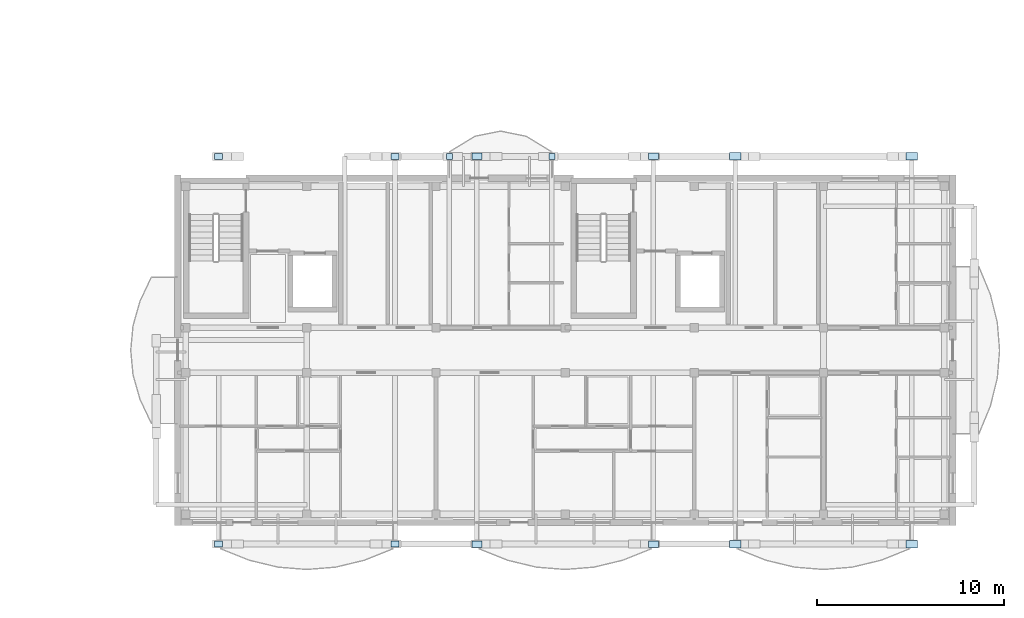
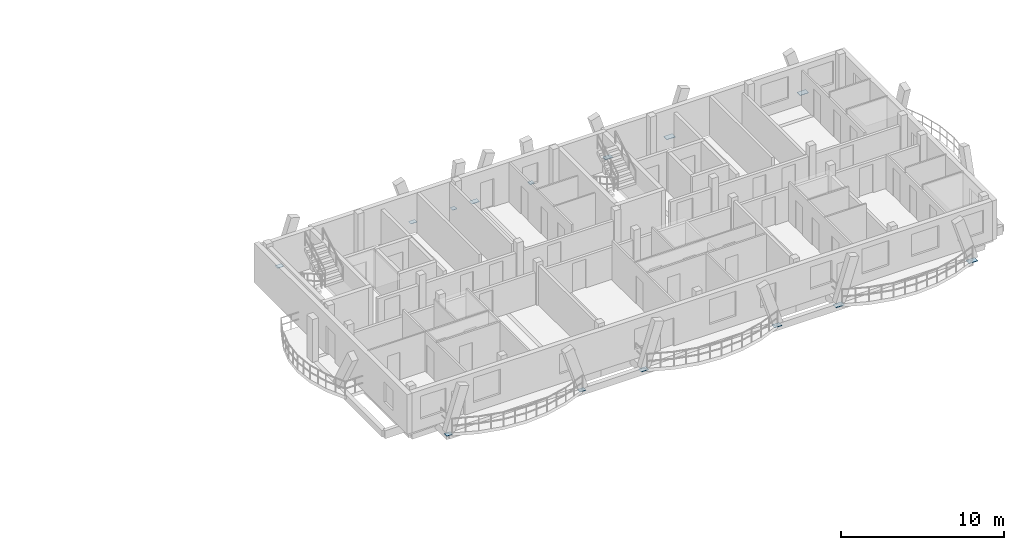
# One storey, part 12 of 44: 14 plates.
"""IFC4 building model written with IfcOpenShell, lengths in metres."""

from ifc_helpers import new_model, si_unit, direction, frame, origin, origin_2d, place, context, subcontext, project, spatial, rectangle, extrude, material, layer, layer_set, type_object, element, save


model = new_model("IFC4")

# Units and contexts
model_context = context("Model", 3, precision=1e-05, world=origin(), true_north=direction((0.0, 1.0)))
body_context = subcontext(model_context, "Body", "Model", "MODEL_VIEW")
ifc_project = project(units=[si_unit("LENGTHUNIT", "METRE"), si_unit("AREAUNIT", "SQUARE_METRE"), si_unit("VOLUMEUNIT", "CUBIC_METRE"), si_unit("PLANEANGLEUNIT", "RADIAN"), si_unit("MASSUNIT", "GRAM", prefix="KILO")], contexts=[model_context])

# Site, building, storey
site_placement = place(None, origin())
site = spatial("IfcSite", under=ifc_project, at=site_placement, CompositionType="ELEMENT")
building_placement = place(site_placement, origin())
building = spatial("IfcBuilding", under=site, at=building_placement, Name="Zavelmont Quarter", CompositionType="ELEMENT")
storey_placement = place(building_placement, frame((0.0, 0.0, 20.800048828125)))
storey = spatial("IfcBuildingStorey", under=building, at=storey_placement, Name="L06", CompositionType="ELEMENT", Elevation=20.800048828125)

# Plates
ifc_material = material(Name="Steel S355", Category="steel")
ifc_layer_1 = layer(ifc_material, 0.02490234375)
ifc_layer_set_1 = layer_set([ifc_layer_1], Name="Steel S355")
plate_type_1 = type_object("IfcPlateType", Name="NP03", PredefinedType="SHEET", material=ifc_layer_set_1)
for number, where, z_axis, x_axis, name in (
    (1, (128.785400390625, -1.162109375, -0.21240234375), (0.0, 0.0, 1.0), (1.0, 0.0, 0.0), "L06 steel connection plate NP03 at 19/A"),
    (2, (138.214599609375, -1.162109375, -0.21240234375), (0.0, 0.0, 1.0), (1.0, 0.0, 0.0), "L06 steel connection plate NP03 at 21/A"),
    (3, (128.785400390625, 19.56201171875, -0.21240234375), (0.0, 0.0, 1.0), (1.0, 0.0, 0.0), "L06 steel connection plate NP03 at 19/D"),
    (4, (138.214599609375, 19.56201171875, -0.21240234375), (0.0, 0.0, 1.0), (1.0, 0.0, 0.0), "L06 steel connection plate NP03 at 21/D"),
):
    element("IfcPlate", number, at=place(storey_placement, frame(where, z_axis=z_axis, x_axis=x_axis)), inside=storey, type_object=plate_type_1, Name=name, PredefinedType="SHEET", context=body_context, shape_type="SweptSolid", body=[
        extrude(rectangle(XDim=0.43994140625, YDim=0.320068359375, at=origin_2d()), origin(), (0.0, 0.0, 1.0), 0.02490234375),
    ])
ifc_layer_2 = layer(ifc_material, 0.028076171875)
ifc_layer_set_2 = layer_set([ifc_layer_2], Name="Steel S355")
plate_type_2 = type_object("IfcPlateType", Name="NP04", PredefinedType="SHEET", material=ifc_layer_set_2)
for number, where, z_axis, x_axis, name in (
    (5, (142.585205078125, -1.162109375, -0.2138671875), (0.0, 0.0, 1.0), (1.0, 0.0, 0.0), "L06 steel connection plate NP04 at 21/A"),
    (6, (152.0146484375, -1.162109375, -0.2138671875), (0.0, 0.0, 1.0), (1.0, 0.0, 0.0), "L06 steel connection plate NP04 at 23/A"),
    (7, (142.585205078125, 19.56201171875, -0.2138671875), (0.0, 0.0, 1.0), (1.0, 0.0, 0.0), "L06 steel connection plate NP04 at 21/D"),
    (8, (152.0146484375, 19.56201171875, -0.2138671875), (0.0, 0.0, 1.0), (1.0, 0.0, 0.0), "L06 steel connection plate NP04 at 23/D"),
):
    element("IfcPlate", number, at=place(storey_placement, frame(where, z_axis=z_axis, x_axis=x_axis)), inside=storey, type_object=plate_type_2, Name=name, PredefinedType="SHEET", context=body_context, shape_type="SweptSolid", body=[
        extrude(rectangle(XDim=0.52001953125, YDim=0.360107421875, at=origin_2d()), origin(), (0.0, 0.0, 1.0), 0.028076171875),
    ])
ifc_layer_3 = layer(ifc_material, 0.030029296875)
ifc_layer_set_3 = layer_set([ifc_layer_3], Name="Steel S355")
plate_type_3 = type_object("IfcPlateType", Name="NP05", PredefinedType="SHEET", material=ifc_layer_set_3)
for number, where, z_axis, x_axis, name in (
    (9, (156.38525390625, -1.162109375, -0.21484375), (0.0, 0.0, 1.0), (1.0, 0.0, 0.0), "L06 steel connection plate NP05 at 23/A"),
    (10, (165.814697265625, -1.162109375, -0.21484375), (0.0, 0.0, 1.0), (1.0, 0.0, 0.0), "L06 steel connection plate NP05 at 25/A"),
    (11, (156.38525390625, 19.56201171875, -0.21484375), (0.0, 0.0, 1.0), (1.0, 0.0, 0.0), "L06 steel connection plate NP05 at 23/D"),
    (12, (165.814697265625, 19.56201171875, -0.21484375), (0.0, 0.0, 1.0), (1.0, 0.0, 0.0), "L06 steel connection plate NP05 at 25/D"),
):
    element("IfcPlate", number, at=place(storey_placement, frame(where, z_axis=z_axis, x_axis=x_axis)), inside=storey, type_object=plate_type_3, Name=name, PredefinedType="SHEET", context=body_context, shape_type="SweptSolid", body=[
        extrude(rectangle(XDim=0.60009765625, YDim=0.39990234375, at=origin_2d()), origin(), (0.0, 0.0, 1.0), 0.030029296875),
    ])
ifc_layer_4 = layer(ifc_material, 0.02197265625)
ifc_layer_set_4 = layer_set([ifc_layer_4], Name="Steel S355")
plate_type_4 = type_object("IfcPlateType", Name="NP06", PredefinedType="SHEET", material=ifc_layer_set_4)
for number, where, z_axis, x_axis, name in (
    (13, (141.110595703125, 19.56201171875, -0.2109375), (0.0, 0.0, 1.0), (1.0, 0.0, 0.0), "L06 steel connection plate NP06 at 21/D"),
    (14, (146.58935546875, 19.56201171875, -0.2109375), (0.0, 0.0, 1.0), (1.0, 0.0, 0.0), "L06 steel connection plate NP06 at 22/D"),
):
    element("IfcPlate", number, at=place(storey_placement, frame(where, z_axis=z_axis, x_axis=x_axis)), inside=storey, type_object=plate_type_4, Name=name, PredefinedType="SHEET", context=body_context, shape_type="SweptSolid", body=[
        extrude(rectangle(XDim=0.320068359375, YDim=0.320068359375, at=origin_2d()), origin(), (0.0, 0.0, 1.0), 0.02197265625),
    ])

save(model, "model.ifc")
